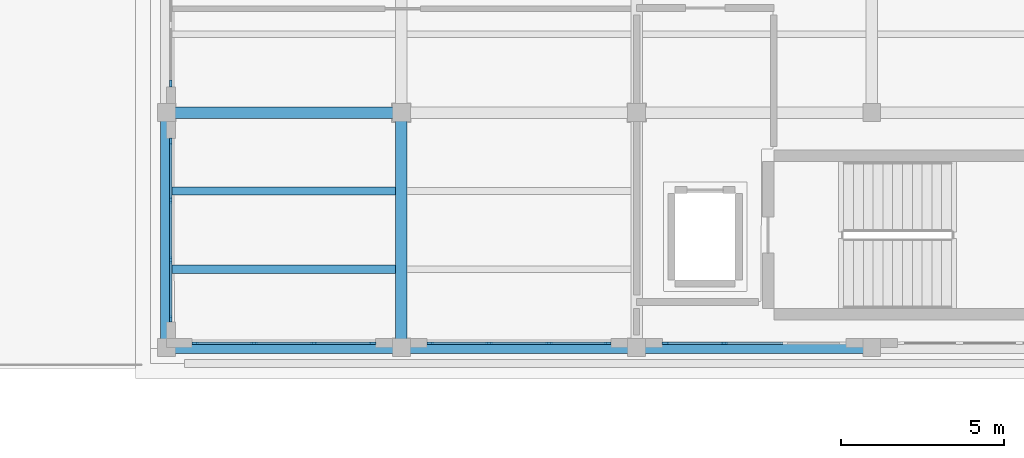
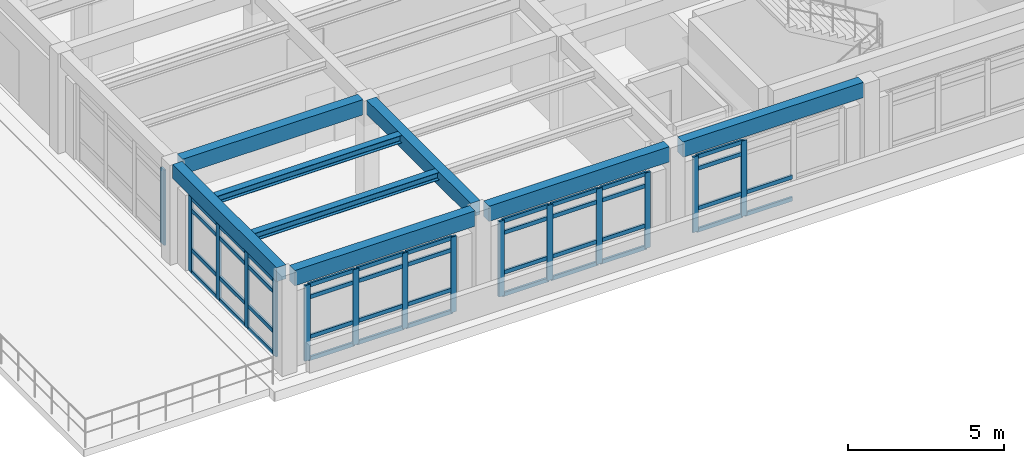
# One storey, part 2 of 21: 57 members, 8 beams, 5 elements without a shape of their own.
"""IFC4 building model written with IfcOpenShell, lengths in metres."""

import ifcopenshell
import ifcopenshell.guid

model = None  # the IFC model being written
_history = None  # IfcOwnerHistory: only IFC2X3 demands one
_inside = {}  # id of a spatial element -> (the spatial element, [elements in it])
_under = {}  # id of a project, library or spatial element -> (it, [spatial elements below it])
_declared = {}  # id of a project -> (the project, [libraries it declares])
_typed = {}  # id of a type object -> (the type object, [elements of that type])
_made_of = {}  # id of a material, layer set ... -> (it, [elements and type objects made of it])


def new_model(schema):
    """Start an empty IFC model of exactly this schema.

    Asked for "IFC4X3", IfcOpenShell would pick the latest addendum, in which some entities
    have other attributes; the version numbers below select the first issue.
    IFC2X3 requires an IfcOwnerHistory on every rooted entity: one is made here for all.
    """
    global model, _history
    if schema == "IFC4X3":
        model = ifcopenshell.file(schema_version=(4, 3, 0, 0))
    else:
        model = ifcopenshell.file(schema=schema)
    _inside.clear()
    _under.clear()
    _declared.clear()
    _typed.clear()
    _made_of.clear()
    _history = None
    if model.schema == "IFC2X3":
        org = make("IfcOrganization", Name="unknown")
        user = make(
            "IfcPersonAndOrganization",
            ThePerson=make("IfcPerson", FamilyName="unknown"),
            TheOrganization=org,
        )
        app = make(
            "IfcApplication",
            ApplicationDeveloper=org,
            Version="unknown",
            ApplicationFullName="unknown",
            ApplicationIdentifier="unknown",
        )
        _history = make(
            "IfcOwnerHistory",
            OwningUser=user,
            OwningApplication=app,
            ChangeAction="ADDED",
            CreationDate=0,
        )
    return model


def make(cls, **values):
    """One entity of the class cls with the attributes given. An attribute that is None is left unset."""
    return model.create_entity(
        cls, **{name: value for name, value in values.items() if value is not None}
    )


def rooted(cls, **values):
    """An entity with a GlobalId (a new one), such as an element, a storey or a relation."""
    return make(cls, GlobalId=ifcopenshell.guid.new(), OwnerHistory=_history, **values)


def si_unit(unit_type, name, prefix=None):
    """IfcSIUnit, for example si_unit("LENGTHUNIT", "METRE", prefix="MILLI")."""
    return make("IfcSIUnit", UnitType=unit_type, Prefix=prefix, Name=name)


def assignment(units):
    """IfcUnitAssignment: the units of a project."""
    return None if units is None else make("IfcUnitAssignment", Units=units)


def point(xyz):
    """IfcCartesianPoint."""
    return None if xyz is None else make("IfcCartesianPoint", Coordinates=xyz)


def direction(xyz):
    """IfcDirection."""
    return None if xyz is None else make("IfcDirection", DirectionRatios=xyz)


def frame(location, z_axis=None, x_axis=None):
    """IfcAxis2Placement3D, a coordinate frame: its origin and axes. An axis left out is left unset."""
    return make(
        "IfcAxis2Placement3D",
        Location=point(location),
        Axis=direction(z_axis),
        RefDirection=direction(x_axis),
    )


def frame_2d(location, x_axis=None):
    """IfcAxis2Placement2D, a coordinate frame in the plane: its origin and x axis."""
    return make(
        "IfcAxis2Placement2D", Location=point(location), RefDirection=direction(x_axis)
    )


def origin():
    """The frame at (0, 0, 0) with its axes left unset."""
    return frame((0.0, 0.0, 0.0))


def origin_2d():
    """The frame at (0, 0) in the plane with its x axis left unset."""
    return frame_2d((0.0, 0.0))


def place(relative_to, where):
    """IfcLocalPlacement: puts the frame where relative to a parent placement (None: the world)."""
    return make(
        "IfcLocalPlacement", PlacementRelTo=relative_to, RelativePlacement=where
    )


def context(
    kind, dimensions, precision=None, world=None, true_north=None, identifier=None
):
    """IfcGeometricRepresentationContext, for example the 3D "Model" context."""
    return make(
        "IfcGeometricRepresentationContext",
        ContextIdentifier=identifier,
        ContextType=kind,
        CoordinateSpaceDimension=dimensions,
        Precision=precision,
        WorldCoordinateSystem=world,
        TrueNorth=true_north,
    )


def subcontext(parent, identifier, kind, view, scale=None):
    """IfcGeometricRepresentationSubContext, for example "Body" below "Model"."""
    return make(
        "IfcGeometricRepresentationSubContext",
        ContextIdentifier=identifier,
        ContextType=kind,
        ParentContext=parent,
        TargetScale=scale,
        TargetView=view,
    )


def project(units=None, contexts=None):
    """IfcProject with its units and contexts."""
    return rooted(
        "IfcProject",
        Name="project",
        RepresentationContexts=contexts,
        UnitsInContext=assignment(units),
    )


def spatial(cls, under=None, at=None, **own):
    """A site, building, storey or space (cls), placed at a placement, below another one or the project."""
    s = rooted(cls, ObjectPlacement=at, **own)
    if under is not None:
        _under.setdefault(under.id(), (under, []))[1].append(s)
    return s


def profile(cls, at=None, kind="AREA", **sizes):
    """A parametric profile (cls). Its sizes go by their IFC names, for example OverallWidth=200.0."""
    return make(cls, ProfileType=kind, Position=at, **sizes)


def rectangle(**sizes):
    """IfcRectangleProfileDef."""
    return profile("IfcRectangleProfileDef", **sizes)


def i_section(**sizes):
    """IfcIShapeProfileDef."""
    return profile("IfcIShapeProfileDef", **sizes)


def extrude(swept, where, along, depth):
    """IfcExtrudedAreaSolid: the profile swept, set in the frame where, extruded along a direction by depth."""
    return make(
        "IfcExtrudedAreaSolid",
        SweptArea=swept,
        Position=where,
        ExtrudedDirection=direction(along),
        Depth=depth,
    )


def shape(context_of_items, identifier, shape_type, items):
    """IfcShapeRepresentation: the items that make up one representation, for example the "Body"."""
    return make(
        "IfcShapeRepresentation",
        ContextOfItems=context_of_items,
        RepresentationIdentifier=identifier,
        RepresentationType=shape_type,
        Items=items,
    )


def material(Name=None, Category=None):
    """IfcMaterial."""
    return make("IfcMaterial", Name=Name, Category=Category)


def layer(
    of_material, thickness, ventilated=None, Name=None, Category=None, Priority=None
):
    """IfcMaterialLayer: one layer of a wall or slab, of a material (None: an air gap)."""
    return make(
        "IfcMaterialLayer",
        Material=of_material,
        LayerThickness=thickness,
        IsVentilated=ventilated,
        Name=Name,
        Category=Category,
        Priority=Priority,
    )


def layer_set(layers, Name=None):
    """IfcMaterialLayerSet."""
    return make("IfcMaterialLayerSet", MaterialLayers=layers, LayerSetName=Name)


def material_profile(
    of_material, cross_section, Name=None, Category=None, Priority=None
):
    """IfcMaterialProfile: a cross section and its material."""
    return make(
        "IfcMaterialProfile",
        Name=Name,
        Material=of_material,
        Profile=cross_section,
        Priority=Priority,
        Category=Category,
    )


def profile_set(profiles, Name=None, composite=None):
    """IfcMaterialProfileSet."""
    return make(
        "IfcMaterialProfileSet",
        Name=Name,
        MaterialProfiles=profiles,
        CompositeProfile=composite,
    )


def made_of(thing, what):
    """Note that an element or type object is made of a material, layer set ...; save() writes the relation."""
    if what is not None:
        _made_of.setdefault(what.id(), (what, []))[1].append(thing)
    return thing


def type_object(cls, material=None, **own):
    """A type object (cls), such as IfcWallType, which elements share."""
    return made_of(rooted(cls, **own), material)


def element(
    cls,
    number,
    at=None,
    inside=None,
    cuts=None,
    type_object=None,
    material=None,
    context=None,
    identifier="Body",
    shape_type=None,
    held_by="IfcProductDefinitionShape",
    body=None,
    shapes=None,
    **own,
):
    """One element of the class cls, such as IfcWall. Its Tag is "e" and its number.

    at: its placement. inside: the storey or other place that contains it. cuts: it is an
    opening in that element (IfcRelVoidsElement). A single representation is given by context,
    identifier, shape_type and body (its items); several are given by shapes. held_by: the class
    of the entity that holds the representations. save() writes the other relations.
    """
    e = rooted(cls, Tag="e%d" % number, ObjectPlacement=at, **own)
    if body is not None:
        shapes = [shape(context, identifier, shape_type, body)]
    if shapes is not None:
        e.Representation = make(held_by, Representations=shapes)
    if inside is not None:
        _inside.setdefault(inside.id(), (inside, []))[1].append(e)
    if cuts is not None:
        rooted(
            "IfcRelVoidsElement", RelatingBuildingElement=cuts, RelatedOpeningElement=e
        )
    if type_object is not None:
        _typed.setdefault(type_object.id(), (type_object, []))[1].append(e)
    return made_of(e, material)


def aggregate(whole, parts):
    """IfcRelAggregates: a whole, such as a stair, and the parts it consists of."""
    return rooted("IfcRelAggregates", RelatingObject=whole, RelatedObjects=parts)


def save(model, path):
    """Write the relations noted so far, then the file.

    IfcRelAggregates (storeys below a building ...), IfcRelContainedInSpatialStructure (elements
    in a storey), IfcRelDefinesByType, IfcRelAssociatesMaterial and IfcRelDeclares: one each for
    every whole, place, type object, material and project.
    """
    for whole, parts in _under.values():
        aggregate(whole, parts)
    for where, things in _inside.values():
        rooted(
            "IfcRelContainedInSpatialStructure",
            RelatedElements=things,
            RelatingStructure=where,
        )
    for kind, things in _typed.values():
        rooted("IfcRelDefinesByType", RelatedObjects=things, RelatingType=kind)
    for what, things in _made_of.values():
        rooted("IfcRelAssociatesMaterial", RelatedObjects=things, RelatingMaterial=what)
    for by, libraries in _declared.values():
        rooted("IfcRelDeclares", RelatingContext=by, RelatedDefinitions=libraries)
    model.write(path)


model = new_model("IFC4")

# Units and contexts
model_context = context("Model", 3, precision=1e-05, world=origin(), true_north=direction((0.0, 1.0)))
body_context = subcontext(model_context, "Body", "Model", "MODEL_VIEW")
ifc_project = project(units=[si_unit("LENGTHUNIT", "METRE"), si_unit("AREAUNIT", "SQUARE_METRE"), si_unit("VOLUMEUNIT", "CUBIC_METRE"), si_unit("PLANEANGLEUNIT", "RADIAN"), si_unit("MASSUNIT", "GRAM", prefix="KILO")], contexts=[model_context])

# Site, building, storey
site_placement = place(None, origin())
site = spatial("IfcSite", under=ifc_project, at=site_placement, CompositionType="ELEMENT")
building_placement = place(site_placement, origin())
building = spatial("IfcBuilding", under=site, at=building_placement, Name="Solenvale Faculty of Natural Sciences", CompositionType="ELEMENT")
storey_placement = place(building_placement, frame((0.0, 0.0, 31.199951171875)))
storey = spatial("IfcBuildingStorey", under=building, at=storey_placement, Name="L07", CompositionType="ELEMENT", Elevation=31.199951171875)

# Beams
ifc_material_1 = material(Name="Concrete 40 MPa", Category="concrete")
ifc_material_profile_1 = material_profile(ifc_material_1, rectangle(XDim=0.35009765625, YDim=0.550048828125, at=origin_2d()), Name="RC-BM-350x550")
ifc_profile_set_1 = profile_set([ifc_material_profile_1], Name="Concrete 40 MPa")
beam_type_1 = type_object("IfcBeamType", Name="BM-RC-350x550", PredefinedType="BEAM", material=ifc_profile_set_1)
for number, where, z_axis, x_axis, name in (
    (1, (86.39990234375, 93.85498046875, 3.64501953125), (0.0, 1.0, 0.0), (-1.0, 0.0, 0.0), "L07 Y-Girder X86.4 (93.6..100.8)"),
    (2, (93.60009765625, 93.85498046875, 3.64501953125), (0.0, 1.0, 0.0), (-1.0, 0.0, 0.0), "L07 Y-Girder X93.6 (93.6..100.8)"),
):
    element("IfcBeam", number, at=place(storey_placement, frame(where, z_axis=z_axis, x_axis=x_axis)), inside=storey, type_object=beam_type_1, Name=name, PredefinedType="BEAM", context=body_context, shape_type="SweptSolid", body=[
        extrude(rectangle(XDim=0.35009765625, YDim=0.550048828125, at=origin_2d()), origin(), (0.0, 0.0, 1.0), 6.68994140625),
    ])
ifc_material_profile_2 = material_profile(ifc_material_1, rectangle(XDim=0.35009765625, YDim=0.60009765625, at=origin_2d()), Name="RC-BM-350x600")
ifc_profile_set_2 = profile_set([ifc_material_profile_2], Name="Concrete 40 MPa")
beam_type_2 = type_object("IfcBeamType", Name="BM-RC-350x600", PredefinedType="BEAM", material=ifc_profile_set_2)
for number, where, z_axis, x_axis, name in (
    (3, (86.655029296875, 93.60009765625, 3.6201171875), (1.0, 0.0, 0.0), (0.0, 1.0, 0.0), "L07 X-Girder Y93.6 (86.4..93.6)"),
    (4, (93.85498046875, 93.60009765625, 3.6201171875), (1.0, 0.0, 0.0), (0.0, 1.0, 0.0), "L07 X-Girder Y93.6 (93.6..100.8)"),
):
    element("IfcBeam", number, at=place(storey_placement, frame(where, z_axis=z_axis, x_axis=x_axis)), inside=storey, type_object=beam_type_2, Name=name, PredefinedType="BEAM", context=body_context, shape_type="SweptSolid", body=[
        extrude(rectangle(XDim=0.35009765625, YDim=0.60009765625, at=origin_2d()), origin(), (0.0, 0.0, 1.0), 6.68994140625),
    ])
beam_1_placement = place(storey_placement, frame((101.054931640625, 93.60009765625, 3.6201171875), z_axis=(1.0, 0.0, 0.0), x_axis=(0.0, 1.0, 0.0)))
element("IfcBeam", 5, at=beam_1_placement, inside=storey, type_object=beam_type_2, Name="L07 X-Girder Y93.6 (100.8..108.0)", PredefinedType="BEAM", context=body_context, shape_type="SweptSolid", body=[
    extrude(rectangle(XDim=0.35009765625, YDim=0.60009765625, at=origin_2d()), origin(), (0.0, 0.0, 1.0), 6.690185546875),
])
beam_2_placement = place(storey_placement, frame((86.655029296875, 100.800048828125, 3.6201171875), z_axis=(1.0, 0.0, 0.0), x_axis=(0.0, 1.0, 0.0)))
element("IfcBeam", 6, at=beam_2_placement, inside=storey, type_object=beam_type_2, Name="L07 X-Girder Y100.8 (86.4..93.6)", PredefinedType="BEAM", context=body_context, shape_type="SweptSolid", body=[
    extrude(rectangle(XDim=0.35009765625, YDim=0.60009765625, at=origin_2d()), origin(), (0.0, 0.0, 1.0), 6.68994140625),
])
ifc_material_2 = material(Name="Steel S355", Category="steel")
ifc_material_profile_3 = material_profile(ifc_material_2, i_section(OverallWidth=0.25390625, OverallDepth=0.305908203125, WebThickness=0.0087890625, FlangeThickness=0.0146484375, FilletRadius=0.014892578125, at=origin_2d()), Name="W310x79")
ifc_profile_set_3 = profile_set([ifc_material_profile_3], Name="Steel S355")
beam_type_3 = type_object("IfcBeamType", Name="BM-STL-W310x79", PredefinedType="JOIST", material=ifc_profile_set_3)
for number, where, z_axis, x_axis, name in (
    (7, (86.554931640625, 96.0, 3.76708984375), (1.0, 0.0, 0.0), (0.0, 1.0, 0.0), "L07 Composite Floor Joist (13,14).1"),
    (8, (86.554931640625, 98.39990234375, 3.76708984375), (1.0, 0.0, 0.0), (0.0, 1.0, 0.0), "L07 Composite Floor Joist (13,14).2"),
):
    element("IfcBeam", number, at=place(storey_placement, frame(where, z_axis=z_axis, x_axis=x_axis)), inside=storey, type_object=beam_type_3, Name=name, PredefinedType="JOIST", context=body_context, shape_type="SweptSolid", body=[
        extrude(i_section(OverallWidth=0.25390625, OverallDepth=0.305908203125, WebThickness=0.0087890625, FlangeThickness=0.0146484375, FilletRadius=0.014892578125, at=origin_2d()), origin(), (0.0, 0.0, 1.0), 6.89013671875),
    ])

# Curtain wall, member
ifc_material_3 = material(Name="Anodised bronze aluminium", Category="aluminium")
ifc_layer = layer(ifc_material_3, 0.179931640625)
ifc_layer_set = layer_set([ifc_layer], Name="Anodised bronze aluminium")
curtain_wall_type = type_object("IfcCurtainWallType", Name="CW-TWR-MOD", PredefinedType="USERDEFINED", material=ifc_layer_set)
curtain_wall_1_placement = place(storey_placement, origin())
curtain_wall_1 = element("IfcCurtainWall", 9, at=curtain_wall_1_placement, inside=storey, type_object=curtain_wall_type, Name="L07 Curtain Wall CW-L07-P1-E3-B2", ObjectType="UNITISED CURTAIN WALL", PredefinedType="USERDEFINED")
ifc_material_profile_4 = material_profile(ifc_material_3, rectangle(XDim=0.074951171875, YDim=0.2099609375, at=origin_2d()), Name="ALU-MUL-75x210")
ifc_profile_set_4 = profile_set([ifc_material_profile_4], Name="Anodised bronze aluminium")
member_type_1 = type_object("IfcMemberType", Name="CWM-ALU-75x210", PredefinedType="MULLION", material=ifc_profile_set_4)
member_1_placement = place(storey_placement, frame((86.54248046875, 101.6875, 0.0), z_axis=(0.0, 0.0, 1.0), x_axis=(1.0, 0.0, 0.0)))
member_1 = element("IfcMember", 10, at=member_1_placement, type_object=member_type_1, Name="CW-04 mullion 4", PredefinedType="MULLION", context=body_context, shape_type="SweptSolid", body=[
    extrude(rectangle(XDim=0.074951171875, YDim=0.2099609375, at=origin_2d()), origin(), (0.0, 0.0, 1.0), 2.9599609375),
])
aggregate(curtain_wall_1, [member_1])

# Curtain wall, members
curtain_wall_2_placement = place(storey_placement, origin())
curtain_wall_2 = element("IfcCurtainWall", 11, at=curtain_wall_2_placement, inside=storey, type_object=curtain_wall_type, Name="L07 Curtain Wall CW-L07-P1-E3-B3", ObjectType="UNITISED CURTAIN WALL", PredefinedType="USERDEFINED")
member_2_placement = place(storey_placement, frame((86.54248046875, 99.91259765625, 0.0), z_axis=(0.0, 0.0, 1.0), x_axis=(1.0, 0.0, 0.0)))
member_2 = element("IfcMember", 12, at=member_2_placement, type_object=member_type_1, Name="CW-04 mullion 1", PredefinedType="MULLION", context=body_context, shape_type="SweptSolid", body=[
    extrude(rectangle(XDim=0.074951171875, YDim=0.2099609375, at=origin_2d()), origin(), (0.0, 0.0, 1.0), 2.9599609375),
])
member_3_placement = place(storey_placement, frame((86.54248046875, 98.11669921875, 0.0), z_axis=(0.0, 0.0, 1.0), x_axis=(1.0, 0.0, 0.0)))
member_3 = element("IfcMember", 13, at=member_3_placement, type_object=member_type_1, Name="CW-04 mullion 2", PredefinedType="MULLION", context=body_context, shape_type="SweptSolid", body=[
    extrude(rectangle(XDim=0.074951171875, YDim=0.2099609375, at=origin_2d()), origin(), (0.0, 0.0, 1.0), 2.9599609375),
])
member_4_placement = place(storey_placement, frame((86.54248046875, 96.283447265625, 0.0), z_axis=(0.0, 0.0, 1.0), x_axis=(1.0, 0.0, 0.0)))
member_4 = element("IfcMember", 14, at=member_4_placement, type_object=member_type_1, Name="CW-04 mullion 3", PredefinedType="MULLION", context=body_context, shape_type="SweptSolid", body=[
    extrude(rectangle(XDim=0.074951171875, YDim=0.2099609375, at=origin_2d()), origin(), (0.0, 0.0, 1.0), 2.9599609375),
])
member_5_placement = place(storey_placement, frame((86.54248046875, 94.487548828125, 0.0), z_axis=(0.0, 0.0, 1.0), x_axis=(1.0, 0.0, 0.0)))
member_5 = element("IfcMember", 15, at=member_5_placement, type_object=member_type_1, Name="CW-04 mullion 4", PredefinedType="MULLION", context=body_context, shape_type="SweptSolid", body=[
    extrude(rectangle(XDim=0.074951171875, YDim=0.2099609375, at=origin_2d()), origin(), (0.0, 0.0, 1.0), 2.9599609375),
])

curtain_wall_3_placement = place(storey_placement, origin())
curtain_wall_3 = element("IfcCurtainWall", 16, at=curtain_wall_3_placement, inside=storey, type_object=curtain_wall_type, Name="L07 Curtain Wall CW-L07-P1-E4-B1", ObjectType="UNITISED CURTAIN WALL", PredefinedType="USERDEFINED")
member_6_placement = place(storey_placement, frame((87.28759765625, 93.742431640625, 0.0), z_axis=(0.0, 0.0, 1.0), x_axis=(0.0, 1.0, 0.0)))
member_6 = element("IfcMember", 17, at=member_6_placement, type_object=member_type_1, Name="CW-04 mullion 1", PredefinedType="MULLION", context=body_context, shape_type="SweptSolid", body=[
    extrude(rectangle(XDim=0.074951171875, YDim=0.2099609375, at=origin_2d()), origin(), (0.0, 0.0, 1.0), 2.9599609375),
])
member_7_placement = place(storey_placement, frame((89.083251953125, 93.742431640625, 0.0), z_axis=(0.0, 0.0, 1.0), x_axis=(0.0, 1.0, 0.0)))
member_7 = element("IfcMember", 18, at=member_7_placement, type_object=member_type_1, Name="CW-04 mullion 2", PredefinedType="MULLION", context=body_context, shape_type="SweptSolid", body=[
    extrude(rectangle(XDim=0.074951171875, YDim=0.2099609375, at=origin_2d()), origin(), (0.0, 0.0, 1.0), 2.9599609375),
])
member_8_placement = place(storey_placement, frame((90.916748046875, 93.742431640625, 0.0), z_axis=(0.0, 0.0, 1.0), x_axis=(0.0, 1.0, 0.0)))
member_8 = element("IfcMember", 19, at=member_8_placement, type_object=member_type_1, Name="CW-04 mullion 3", PredefinedType="MULLION", context=body_context, shape_type="SweptSolid", body=[
    extrude(rectangle(XDim=0.074951171875, YDim=0.2099609375, at=origin_2d()), origin(), (0.0, 0.0, 1.0), 2.9599609375),
])
member_9_placement = place(storey_placement, frame((92.71240234375, 93.742431640625, 0.0), z_axis=(0.0, 0.0, 1.0), x_axis=(0.0, 1.0, 0.0)))
member_9 = element("IfcMember", 20, at=member_9_placement, type_object=member_type_1, Name="CW-04 mullion 4", PredefinedType="MULLION", context=body_context, shape_type="SweptSolid", body=[
    extrude(rectangle(XDim=0.074951171875, YDim=0.2099609375, at=origin_2d()), origin(), (0.0, 0.0, 1.0), 2.9599609375),
])

curtain_wall_4_placement = place(storey_placement, origin())
curtain_wall_4 = element("IfcCurtainWall", 21, at=curtain_wall_4_placement, inside=storey, type_object=curtain_wall_type, Name="L07 Curtain Wall CW-L07-P1-E4-B2", ObjectType="UNITISED CURTAIN WALL", PredefinedType="USERDEFINED")
member_10_placement = place(storey_placement, frame((94.487548828125, 93.742431640625, 0.0), z_axis=(0.0, 0.0, 1.0), x_axis=(0.0, 1.0, 0.0)))
member_10 = element("IfcMember", 22, at=member_10_placement, type_object=member_type_1, Name="CW-04 mullion 1", PredefinedType="MULLION", context=body_context, shape_type="SweptSolid", body=[
    extrude(rectangle(XDim=0.074951171875, YDim=0.2099609375, at=origin_2d()), origin(), (0.0, 0.0, 1.0), 2.9599609375),
])
member_11_placement = place(storey_placement, frame((96.283447265625, 93.742431640625, 0.0), z_axis=(0.0, 0.0, 1.0), x_axis=(0.0, 1.0, 0.0)))
member_11 = element("IfcMember", 23, at=member_11_placement, type_object=member_type_1, Name="CW-04 mullion 2", PredefinedType="MULLION", context=body_context, shape_type="SweptSolid", body=[
    extrude(rectangle(XDim=0.074951171875, YDim=0.2099609375, at=origin_2d()), origin(), (0.0, 0.0, 1.0), 2.9599609375),
])
member_12_placement = place(storey_placement, frame((98.11669921875, 93.742431640625, 0.0), z_axis=(0.0, 0.0, 1.0), x_axis=(0.0, 1.0, 0.0)))
member_12 = element("IfcMember", 24, at=member_12_placement, type_object=member_type_1, Name="CW-04 mullion 3", PredefinedType="MULLION", context=body_context, shape_type="SweptSolid", body=[
    extrude(rectangle(XDim=0.074951171875, YDim=0.2099609375, at=origin_2d()), origin(), (0.0, 0.0, 1.0), 2.9599609375),
])
member_13_placement = place(storey_placement, frame((99.91259765625, 93.742431640625, 0.0), z_axis=(0.0, 0.0, 1.0), x_axis=(0.0, 1.0, 0.0)))
member_13 = element("IfcMember", 25, at=member_13_placement, type_object=member_type_1, Name="CW-04 mullion 4", PredefinedType="MULLION", context=body_context, shape_type="SweptSolid", body=[
    extrude(rectangle(XDim=0.074951171875, YDim=0.2099609375, at=origin_2d()), origin(), (0.0, 0.0, 1.0), 2.9599609375),
])

curtain_wall_5_placement = place(storey_placement, origin())
curtain_wall_5 = element("IfcCurtainWall", 26, at=curtain_wall_5_placement, inside=storey, type_object=curtain_wall_type, Name="L07 Curtain Wall CW-L07-P1-E4-B3", ObjectType="UNITISED CURTAIN WALL", PredefinedType="USERDEFINED")
member_14_placement = place(storey_placement, frame((101.6875, 93.742431640625, 0.0), z_axis=(0.0, 0.0, 1.0), x_axis=(0.0, 1.0, 0.0)))
member_14 = element("IfcMember", 27, at=member_14_placement, type_object=member_type_1, Name="CW-04 mullion 1", PredefinedType="MULLION", context=body_context, shape_type="SweptSolid", body=[
    extrude(rectangle(XDim=0.074951171875, YDim=0.2099609375, at=origin_2d()), origin(), (0.0, 0.0, 1.0), 2.9599609375),
])
member_15_placement = place(storey_placement, frame((103.4833984375, 93.742431640625, 0.0), z_axis=(0.0, 0.0, 1.0), x_axis=(0.0, 1.0, 0.0)))
member_15 = element("IfcMember", 28, at=member_15_placement, type_object=member_type_1, Name="CW-04 mullion 2", PredefinedType="MULLION", context=body_context, shape_type="SweptSolid", body=[
    extrude(rectangle(XDim=0.074951171875, YDim=0.2099609375, at=origin_2d()), origin(), (0.0, 0.0, 1.0), 2.9599609375),
])

# Member
ifc_material_profile_5 = material_profile(ifc_material_3, rectangle(XDim=0.074951171875, YDim=0.155029296875, at=origin_2d()), Name="ALU-TRN-75x155")
ifc_profile_set_5 = profile_set([ifc_material_profile_5], Name="Anodised bronze aluminium")
member_type_2 = type_object("IfcMemberType", Name="CWT-ALU-75x155", PredefinedType="USERDEFINED", material=ifc_profile_set_5)
member_16_placement = place(storey_placement, frame((86.54248046875, 99.875, 0.03759765625), z_axis=(0.0, -1.0, 0.0), x_axis=(1.0, 0.0, 0.0)))
member_16 = element("IfcMember", 29, at=member_16_placement, type_object=member_type_2, Name="CW-04 transom 1.1", ObjectType="TRANSOM", PredefinedType="USERDEFINED", context=body_context, shape_type="SweptSolid", body=[
    extrude(rectangle(XDim=0.074951171875, YDim=0.155029296875, at=origin_2d()), origin(), (0.0, 0.0, 1.0), 1.720947265625),
])

member_17_placement = place(storey_placement, frame((86.54248046875, 99.875, 0.900146484375), z_axis=(0.0, -1.0, 0.0), x_axis=(1.0, 0.0, 0.0)))
member_17 = element("IfcMember", 30, at=member_17_placement, type_object=member_type_2, Name="CW-04 transom 1.2", ObjectType="TRANSOM", PredefinedType="USERDEFINED", context=body_context, shape_type="SweptSolid", body=[
    extrude(rectangle(XDim=0.074951171875, YDim=0.155029296875, at=origin_2d()), origin(), (0.0, 0.0, 1.0), 1.720947265625),
])

member_18_placement = place(storey_placement, frame((86.54248046875, 99.875, 2.4599609375), z_axis=(0.0, -1.0, 0.0), x_axis=(1.0, 0.0, 0.0)))
member_18 = element("IfcMember", 31, at=member_18_placement, type_object=member_type_2, Name="CW-04 transom 1.3", ObjectType="TRANSOM", PredefinedType="USERDEFINED", context=body_context, shape_type="SweptSolid", body=[
    extrude(rectangle(XDim=0.074951171875, YDim=0.155029296875, at=origin_2d()), origin(), (0.0, 0.0, 1.0), 1.720947265625),
])

member_19_placement = place(storey_placement, frame((86.54248046875, 99.875, 2.922607421875), z_axis=(0.0, -1.0, 0.0), x_axis=(1.0, 0.0, 0.0)))
member_19 = element("IfcMember", 32, at=member_19_placement, type_object=member_type_2, Name="CW-04 transom 1.4", ObjectType="TRANSOM", PredefinedType="USERDEFINED", context=body_context, shape_type="SweptSolid", body=[
    extrude(rectangle(XDim=0.074951171875, YDim=0.155029296875, at=origin_2d()), origin(), (0.0, 0.0, 1.0), 1.720947265625),
])

member_20_placement = place(storey_placement, frame((86.54248046875, 98.0791015625, 0.03759765625), z_axis=(0.0, -1.0, 0.0), x_axis=(1.0, 0.0, 0.0)))
member_20 = element("IfcMember", 33, at=member_20_placement, type_object=member_type_2, Name="CW-04 transom 2.1", ObjectType="TRANSOM", PredefinedType="USERDEFINED", context=body_context, shape_type="SweptSolid", body=[
    extrude(rectangle(XDim=0.074951171875, YDim=0.155029296875, at=origin_2d()), origin(), (0.0, 0.0, 1.0), 1.75830078125),
])

member_21_placement = place(storey_placement, frame((86.54248046875, 98.0791015625, 0.900146484375), z_axis=(0.0, -1.0, 0.0), x_axis=(1.0, 0.0, 0.0)))
member_21 = element("IfcMember", 34, at=member_21_placement, type_object=member_type_2, Name="CW-04 transom 2.2", ObjectType="TRANSOM", PredefinedType="USERDEFINED", context=body_context, shape_type="SweptSolid", body=[
    extrude(rectangle(XDim=0.074951171875, YDim=0.155029296875, at=origin_2d()), origin(), (0.0, 0.0, 1.0), 1.75830078125),
])

member_22_placement = place(storey_placement, frame((86.54248046875, 98.0791015625, 2.4599609375), z_axis=(0.0, -1.0, 0.0), x_axis=(1.0, 0.0, 0.0)))
member_22 = element("IfcMember", 35, at=member_22_placement, type_object=member_type_2, Name="CW-04 transom 2.3", ObjectType="TRANSOM", PredefinedType="USERDEFINED", context=body_context, shape_type="SweptSolid", body=[
    extrude(rectangle(XDim=0.074951171875, YDim=0.155029296875, at=origin_2d()), origin(), (0.0, 0.0, 1.0), 1.75830078125),
])

member_23_placement = place(storey_placement, frame((86.54248046875, 98.0791015625, 2.922607421875), z_axis=(0.0, -1.0, 0.0), x_axis=(1.0, 0.0, 0.0)))
member_23 = element("IfcMember", 36, at=member_23_placement, type_object=member_type_2, Name="CW-04 transom 2.4", ObjectType="TRANSOM", PredefinedType="USERDEFINED", context=body_context, shape_type="SweptSolid", body=[
    extrude(rectangle(XDim=0.074951171875, YDim=0.155029296875, at=origin_2d()), origin(), (0.0, 0.0, 1.0), 1.75830078125),
])

member_24_placement = place(storey_placement, frame((86.54248046875, 96.245849609375, 0.03759765625), z_axis=(0.0, -1.0, 0.0), x_axis=(1.0, 0.0, 0.0)))
member_24 = element("IfcMember", 37, at=member_24_placement, type_object=member_type_2, Name="CW-04 transom 3.1", ObjectType="TRANSOM", PredefinedType="USERDEFINED", context=body_context, shape_type="SweptSolid", body=[
    extrude(rectangle(XDim=0.074951171875, YDim=0.155029296875, at=origin_2d()), origin(), (0.0, 0.0, 1.0), 1.720947265625),
])

member_25_placement = place(storey_placement, frame((86.54248046875, 96.245849609375, 0.900146484375), z_axis=(0.0, -1.0, 0.0), x_axis=(1.0, 0.0, 0.0)))
member_25 = element("IfcMember", 38, at=member_25_placement, type_object=member_type_2, Name="CW-04 transom 3.2", ObjectType="TRANSOM", PredefinedType="USERDEFINED", context=body_context, shape_type="SweptSolid", body=[
    extrude(rectangle(XDim=0.074951171875, YDim=0.155029296875, at=origin_2d()), origin(), (0.0, 0.0, 1.0), 1.720947265625),
])

member_26_placement = place(storey_placement, frame((86.54248046875, 96.245849609375, 2.4599609375), z_axis=(0.0, -1.0, 0.0), x_axis=(1.0, 0.0, 0.0)))
member_26 = element("IfcMember", 39, at=member_26_placement, type_object=member_type_2, Name="CW-04 transom 3.3", ObjectType="TRANSOM", PredefinedType="USERDEFINED", context=body_context, shape_type="SweptSolid", body=[
    extrude(rectangle(XDim=0.074951171875, YDim=0.155029296875, at=origin_2d()), origin(), (0.0, 0.0, 1.0), 1.720947265625),
])

member_27_placement = place(storey_placement, frame((86.54248046875, 96.245849609375, 2.922607421875), z_axis=(0.0, -1.0, 0.0), x_axis=(1.0, 0.0, 0.0)))
member_27 = element("IfcMember", 40, at=member_27_placement, type_object=member_type_2, Name="CW-04 transom 3.4", ObjectType="TRANSOM", PredefinedType="USERDEFINED", context=body_context, shape_type="SweptSolid", body=[
    extrude(rectangle(XDim=0.074951171875, YDim=0.155029296875, at=origin_2d()), origin(), (0.0, 0.0, 1.0), 1.720947265625),
])

aggregate(curtain_wall_2, [member_2, member_3, member_4, member_5, member_16, member_17, member_18, member_19, member_20, member_21, member_22, member_23, member_24, member_25, member_26, member_27])

member_28_placement = place(storey_placement, frame((87.324951171875, 93.742431640625, 0.03759765625), z_axis=(1.0, 0.0, 0.0), x_axis=(0.0, 1.0, 0.0)))
member_28 = element("IfcMember", 41, at=member_28_placement, type_object=member_type_2, Name="CW-04 transom 1.1", ObjectType="TRANSOM", PredefinedType="USERDEFINED", context=body_context, shape_type="SweptSolid", body=[
    extrude(rectangle(XDim=0.074951171875, YDim=0.155029296875, at=origin_2d()), origin(), (0.0, 0.0, 1.0), 1.720947265625),
])

member_29_placement = place(storey_placement, frame((87.324951171875, 93.742431640625, 0.900146484375), z_axis=(1.0, 0.0, 0.0), x_axis=(0.0, 1.0, 0.0)))
member_29 = element("IfcMember", 42, at=member_29_placement, type_object=member_type_2, Name="CW-04 transom 1.2", ObjectType="TRANSOM", PredefinedType="USERDEFINED", context=body_context, shape_type="SweptSolid", body=[
    extrude(rectangle(XDim=0.074951171875, YDim=0.155029296875, at=origin_2d()), origin(), (0.0, 0.0, 1.0), 1.720947265625),
])

member_30_placement = place(storey_placement, frame((87.324951171875, 93.742431640625, 2.4599609375), z_axis=(1.0, 0.0, 0.0), x_axis=(0.0, 1.0, 0.0)))
member_30 = element("IfcMember", 43, at=member_30_placement, type_object=member_type_2, Name="CW-04 transom 1.3", ObjectType="TRANSOM", PredefinedType="USERDEFINED", context=body_context, shape_type="SweptSolid", body=[
    extrude(rectangle(XDim=0.074951171875, YDim=0.155029296875, at=origin_2d()), origin(), (0.0, 0.0, 1.0), 1.720947265625),
])

member_31_placement = place(storey_placement, frame((87.324951171875, 93.742431640625, 2.922607421875), z_axis=(1.0, 0.0, 0.0), x_axis=(0.0, 1.0, 0.0)))
member_31 = element("IfcMember", 44, at=member_31_placement, type_object=member_type_2, Name="CW-04 transom 1.4", ObjectType="TRANSOM", PredefinedType="USERDEFINED", context=body_context, shape_type="SweptSolid", body=[
    extrude(rectangle(XDim=0.074951171875, YDim=0.155029296875, at=origin_2d()), origin(), (0.0, 0.0, 1.0), 1.720947265625),
])

member_32_placement = place(storey_placement, frame((89.120849609375, 93.742431640625, 0.03759765625), z_axis=(1.0, 0.0, 0.0), x_axis=(0.0, 1.0, 0.0)))
member_32 = element("IfcMember", 45, at=member_32_placement, type_object=member_type_2, Name="CW-04 transom 2.1", ObjectType="TRANSOM", PredefinedType="USERDEFINED", context=body_context, shape_type="SweptSolid", body=[
    extrude(rectangle(XDim=0.074951171875, YDim=0.155029296875, at=origin_2d()), origin(), (0.0, 0.0, 1.0), 1.75830078125),
])

member_33_placement = place(storey_placement, frame((89.120849609375, 93.742431640625, 0.900146484375), z_axis=(1.0, 0.0, 0.0), x_axis=(0.0, 1.0, 0.0)))
member_33 = element("IfcMember", 46, at=member_33_placement, type_object=member_type_2, Name="CW-04 transom 2.2", ObjectType="TRANSOM", PredefinedType="USERDEFINED", context=body_context, shape_type="SweptSolid", body=[
    extrude(rectangle(XDim=0.074951171875, YDim=0.155029296875, at=origin_2d()), origin(), (0.0, 0.0, 1.0), 1.75830078125),
])

member_34_placement = place(storey_placement, frame((89.120849609375, 93.742431640625, 2.4599609375), z_axis=(1.0, 0.0, 0.0), x_axis=(0.0, 1.0, 0.0)))
member_34 = element("IfcMember", 47, at=member_34_placement, type_object=member_type_2, Name="CW-04 transom 2.3", ObjectType="TRANSOM", PredefinedType="USERDEFINED", context=body_context, shape_type="SweptSolid", body=[
    extrude(rectangle(XDim=0.074951171875, YDim=0.155029296875, at=origin_2d()), origin(), (0.0, 0.0, 1.0), 1.75830078125),
])

member_35_placement = place(storey_placement, frame((89.120849609375, 93.742431640625, 2.922607421875), z_axis=(1.0, 0.0, 0.0), x_axis=(0.0, 1.0, 0.0)))
member_35 = element("IfcMember", 48, at=member_35_placement, type_object=member_type_2, Name="CW-04 transom 2.4", ObjectType="TRANSOM", PredefinedType="USERDEFINED", context=body_context, shape_type="SweptSolid", body=[
    extrude(rectangle(XDim=0.074951171875, YDim=0.155029296875, at=origin_2d()), origin(), (0.0, 0.0, 1.0), 1.75830078125),
])

member_36_placement = place(storey_placement, frame((90.9541015625, 93.742431640625, 0.03759765625), z_axis=(1.0, 0.0, 0.0), x_axis=(0.0, 1.0, 0.0)))
member_36 = element("IfcMember", 49, at=member_36_placement, type_object=member_type_2, Name="CW-04 transom 3.1", ObjectType="TRANSOM", PredefinedType="USERDEFINED", context=body_context, shape_type="SweptSolid", body=[
    extrude(rectangle(XDim=0.074951171875, YDim=0.155029296875, at=origin_2d()), origin(), (0.0, 0.0, 1.0), 1.720947265625),
])

member_37_placement = place(storey_placement, frame((90.9541015625, 93.742431640625, 0.900146484375), z_axis=(1.0, 0.0, 0.0), x_axis=(0.0, 1.0, 0.0)))
member_37 = element("IfcMember", 50, at=member_37_placement, type_object=member_type_2, Name="CW-04 transom 3.2", ObjectType="TRANSOM", PredefinedType="USERDEFINED", context=body_context, shape_type="SweptSolid", body=[
    extrude(rectangle(XDim=0.074951171875, YDim=0.155029296875, at=origin_2d()), origin(), (0.0, 0.0, 1.0), 1.720947265625),
])

member_38_placement = place(storey_placement, frame((90.9541015625, 93.742431640625, 2.4599609375), z_axis=(1.0, 0.0, 0.0), x_axis=(0.0, 1.0, 0.0)))
member_38 = element("IfcMember", 51, at=member_38_placement, type_object=member_type_2, Name="CW-04 transom 3.3", ObjectType="TRANSOM", PredefinedType="USERDEFINED", context=body_context, shape_type="SweptSolid", body=[
    extrude(rectangle(XDim=0.074951171875, YDim=0.155029296875, at=origin_2d()), origin(), (0.0, 0.0, 1.0), 1.720947265625),
])

member_39_placement = place(storey_placement, frame((90.9541015625, 93.742431640625, 2.922607421875), z_axis=(1.0, 0.0, 0.0), x_axis=(0.0, 1.0, 0.0)))
member_39 = element("IfcMember", 52, at=member_39_placement, type_object=member_type_2, Name="CW-04 transom 3.4", ObjectType="TRANSOM", PredefinedType="USERDEFINED", context=body_context, shape_type="SweptSolid", body=[
    extrude(rectangle(XDim=0.074951171875, YDim=0.155029296875, at=origin_2d()), origin(), (0.0, 0.0, 1.0), 1.720947265625),
])

aggregate(curtain_wall_3, [member_6, member_7, member_8, member_9, member_28, member_29, member_30, member_31, member_32, member_33, member_34, member_35, member_36, member_37, member_38, member_39])

member_40_placement = place(storey_placement, frame((94.52490234375, 93.742431640625, 0.03759765625), z_axis=(1.0, 0.0, 0.0), x_axis=(0.0, 1.0, 0.0)))
member_40 = element("IfcMember", 53, at=member_40_placement, type_object=member_type_2, Name="CW-04 transom 1.1", ObjectType="TRANSOM", PredefinedType="USERDEFINED", context=body_context, shape_type="SweptSolid", body=[
    extrude(rectangle(XDim=0.074951171875, YDim=0.155029296875, at=origin_2d()), origin(), (0.0, 0.0, 1.0), 1.720947265625),
])

member_41_placement = place(storey_placement, frame((94.52490234375, 93.742431640625, 0.900146484375), z_axis=(1.0, 0.0, 0.0), x_axis=(0.0, 1.0, 0.0)))
member_41 = element("IfcMember", 54, at=member_41_placement, type_object=member_type_2, Name="CW-04 transom 1.2", ObjectType="TRANSOM", PredefinedType="USERDEFINED", context=body_context, shape_type="SweptSolid", body=[
    extrude(rectangle(XDim=0.074951171875, YDim=0.155029296875, at=origin_2d()), origin(), (0.0, 0.0, 1.0), 1.720947265625),
])

member_42_placement = place(storey_placement, frame((94.52490234375, 93.742431640625, 2.4599609375), z_axis=(1.0, 0.0, 0.0), x_axis=(0.0, 1.0, 0.0)))
member_42 = element("IfcMember", 55, at=member_42_placement, type_object=member_type_2, Name="CW-04 transom 1.3", ObjectType="TRANSOM", PredefinedType="USERDEFINED", context=body_context, shape_type="SweptSolid", body=[
    extrude(rectangle(XDim=0.074951171875, YDim=0.155029296875, at=origin_2d()), origin(), (0.0, 0.0, 1.0), 1.720947265625),
])

member_43_placement = place(storey_placement, frame((94.52490234375, 93.742431640625, 2.922607421875), z_axis=(1.0, 0.0, 0.0), x_axis=(0.0, 1.0, 0.0)))
member_43 = element("IfcMember", 56, at=member_43_placement, type_object=member_type_2, Name="CW-04 transom 1.4", ObjectType="TRANSOM", PredefinedType="USERDEFINED", context=body_context, shape_type="SweptSolid", body=[
    extrude(rectangle(XDim=0.074951171875, YDim=0.155029296875, at=origin_2d()), origin(), (0.0, 0.0, 1.0), 1.720947265625),
])

member_44_placement = place(storey_placement, frame((96.32080078125, 93.742431640625, 0.03759765625), z_axis=(1.0, 0.0, 0.0), x_axis=(0.0, 1.0, 0.0)))
member_44 = element("IfcMember", 57, at=member_44_placement, type_object=member_type_2, Name="CW-04 transom 2.1", ObjectType="TRANSOM", PredefinedType="USERDEFINED", context=body_context, shape_type="SweptSolid", body=[
    extrude(rectangle(XDim=0.074951171875, YDim=0.155029296875, at=origin_2d()), origin(), (0.0, 0.0, 1.0), 1.75830078125),
])

member_45_placement = place(storey_placement, frame((96.32080078125, 93.742431640625, 0.900146484375), z_axis=(1.0, 0.0, 0.0), x_axis=(0.0, 1.0, 0.0)))
member_45 = element("IfcMember", 58, at=member_45_placement, type_object=member_type_2, Name="CW-04 transom 2.2", ObjectType="TRANSOM", PredefinedType="USERDEFINED", context=body_context, shape_type="SweptSolid", body=[
    extrude(rectangle(XDim=0.074951171875, YDim=0.155029296875, at=origin_2d()), origin(), (0.0, 0.0, 1.0), 1.75830078125),
])

member_46_placement = place(storey_placement, frame((96.32080078125, 93.742431640625, 2.4599609375), z_axis=(1.0, 0.0, 0.0), x_axis=(0.0, 1.0, 0.0)))
member_46 = element("IfcMember", 59, at=member_46_placement, type_object=member_type_2, Name="CW-04 transom 2.3", ObjectType="TRANSOM", PredefinedType="USERDEFINED", context=body_context, shape_type="SweptSolid", body=[
    extrude(rectangle(XDim=0.074951171875, YDim=0.155029296875, at=origin_2d()), origin(), (0.0, 0.0, 1.0), 1.75830078125),
])

member_47_placement = place(storey_placement, frame((96.32080078125, 93.742431640625, 2.922607421875), z_axis=(1.0, 0.0, 0.0), x_axis=(0.0, 1.0, 0.0)))
member_47 = element("IfcMember", 60, at=member_47_placement, type_object=member_type_2, Name="CW-04 transom 2.4", ObjectType="TRANSOM", PredefinedType="USERDEFINED", context=body_context, shape_type="SweptSolid", body=[
    extrude(rectangle(XDim=0.074951171875, YDim=0.155029296875, at=origin_2d()), origin(), (0.0, 0.0, 1.0), 1.75830078125),
])

member_48_placement = place(storey_placement, frame((98.154052734375, 93.742431640625, 0.03759765625), z_axis=(1.0, 0.0, 0.0), x_axis=(0.0, 1.0, 0.0)))
member_48 = element("IfcMember", 61, at=member_48_placement, type_object=member_type_2, Name="CW-04 transom 3.1", ObjectType="TRANSOM", PredefinedType="USERDEFINED", context=body_context, shape_type="SweptSolid", body=[
    extrude(rectangle(XDim=0.074951171875, YDim=0.155029296875, at=origin_2d()), origin(), (0.0, 0.0, 1.0), 1.720947265625),
])

member_49_placement = place(storey_placement, frame((98.154052734375, 93.742431640625, 0.900146484375), z_axis=(1.0, 0.0, 0.0), x_axis=(0.0, 1.0, 0.0)))
member_49 = element("IfcMember", 62, at=member_49_placement, type_object=member_type_2, Name="CW-04 transom 3.2", ObjectType="TRANSOM", PredefinedType="USERDEFINED", context=body_context, shape_type="SweptSolid", body=[
    extrude(rectangle(XDim=0.074951171875, YDim=0.155029296875, at=origin_2d()), origin(), (0.0, 0.0, 1.0), 1.720947265625),
])

member_50_placement = place(storey_placement, frame((98.154052734375, 93.742431640625, 2.4599609375), z_axis=(1.0, 0.0, 0.0), x_axis=(0.0, 1.0, 0.0)))
member_50 = element("IfcMember", 63, at=member_50_placement, type_object=member_type_2, Name="CW-04 transom 3.3", ObjectType="TRANSOM", PredefinedType="USERDEFINED", context=body_context, shape_type="SweptSolid", body=[
    extrude(rectangle(XDim=0.074951171875, YDim=0.155029296875, at=origin_2d()), origin(), (0.0, 0.0, 1.0), 1.720947265625),
])

member_51_placement = place(storey_placement, frame((98.154052734375, 93.742431640625, 2.922607421875), z_axis=(1.0, 0.0, 0.0), x_axis=(0.0, 1.0, 0.0)))
member_51 = element("IfcMember", 64, at=member_51_placement, type_object=member_type_2, Name="CW-04 transom 3.4", ObjectType="TRANSOM", PredefinedType="USERDEFINED", context=body_context, shape_type="SweptSolid", body=[
    extrude(rectangle(XDim=0.074951171875, YDim=0.155029296875, at=origin_2d()), origin(), (0.0, 0.0, 1.0), 1.720947265625),
])

aggregate(curtain_wall_4, [member_10, member_11, member_12, member_13, member_40, member_41, member_42, member_43, member_44, member_45, member_46, member_47, member_48, member_49, member_50, member_51])

member_52_placement = place(storey_placement, frame((101.72509765625, 93.742431640625, 0.03759765625), z_axis=(1.0, 0.0, 0.0), x_axis=(0.0, 1.0, 0.0)))
member_52 = element("IfcMember", 65, at=member_52_placement, type_object=member_type_2, Name="CW-04 transom 1.1", ObjectType="TRANSOM", PredefinedType="USERDEFINED", context=body_context, shape_type="SweptSolid", body=[
    extrude(rectangle(XDim=0.074951171875, YDim=0.155029296875, at=origin_2d()), origin(), (0.0, 0.0, 1.0), 1.720703125),
])

member_53_placement = place(storey_placement, frame((101.72509765625, 93.742431640625, 0.900146484375), z_axis=(1.0, 0.0, 0.0), x_axis=(0.0, 1.0, 0.0)))
member_53 = element("IfcMember", 66, at=member_53_placement, type_object=member_type_2, Name="CW-04 transom 1.2", ObjectType="TRANSOM", PredefinedType="USERDEFINED", context=body_context, shape_type="SweptSolid", body=[
    extrude(rectangle(XDim=0.074951171875, YDim=0.155029296875, at=origin_2d()), origin(), (0.0, 0.0, 1.0), 1.720703125),
])

member_54_placement = place(storey_placement, frame((101.72509765625, 93.742431640625, 2.4599609375), z_axis=(1.0, 0.0, 0.0), x_axis=(0.0, 1.0, 0.0)))
member_54 = element("IfcMember", 67, at=member_54_placement, type_object=member_type_2, Name="CW-04 transom 1.3", ObjectType="TRANSOM", PredefinedType="USERDEFINED", context=body_context, shape_type="SweptSolid", body=[
    extrude(rectangle(XDim=0.074951171875, YDim=0.155029296875, at=origin_2d()), origin(), (0.0, 0.0, 1.0), 1.720703125),
])

member_55_placement = place(storey_placement, frame((101.72509765625, 93.742431640625, 2.922607421875), z_axis=(1.0, 0.0, 0.0), x_axis=(0.0, 1.0, 0.0)))
member_55 = element("IfcMember", 68, at=member_55_placement, type_object=member_type_2, Name="CW-04 transom 1.4", ObjectType="TRANSOM", PredefinedType="USERDEFINED", context=body_context, shape_type="SweptSolid", body=[
    extrude(rectangle(XDim=0.074951171875, YDim=0.155029296875, at=origin_2d()), origin(), (0.0, 0.0, 1.0), 1.720703125),
])

member_56_placement = place(storey_placement, frame((103.520751953125, 93.742431640625, 0.03759765625), z_axis=(1.0, 0.0, 0.0), x_axis=(0.0, 1.0, 0.0)))
member_56 = element("IfcMember", 69, at=member_56_placement, type_object=member_type_2, Name="CW-04 transom 2.1", ObjectType="TRANSOM", PredefinedType="USERDEFINED", context=body_context, shape_type="SweptSolid", body=[
    extrude(rectangle(XDim=0.074951171875, YDim=0.155029296875, at=origin_2d()), origin(), (0.0, 0.0, 1.0), 1.75830078125),
])

member_57_placement = place(storey_placement, frame((103.520751953125, 93.742431640625, 0.900146484375), z_axis=(1.0, 0.0, 0.0), x_axis=(0.0, 1.0, 0.0)))
member_57 = element("IfcMember", 70, at=member_57_placement, type_object=member_type_2, Name="CW-04 transom 2.2", ObjectType="TRANSOM", PredefinedType="USERDEFINED", context=body_context, shape_type="SweptSolid", body=[
    extrude(rectangle(XDim=0.074951171875, YDim=0.155029296875, at=origin_2d()), origin(), (0.0, 0.0, 1.0), 1.75830078125),
])

aggregate(curtain_wall_5, [member_14, member_15, member_52, member_53, member_54, member_55, member_56, member_57])

save(model, "model.ifc")
